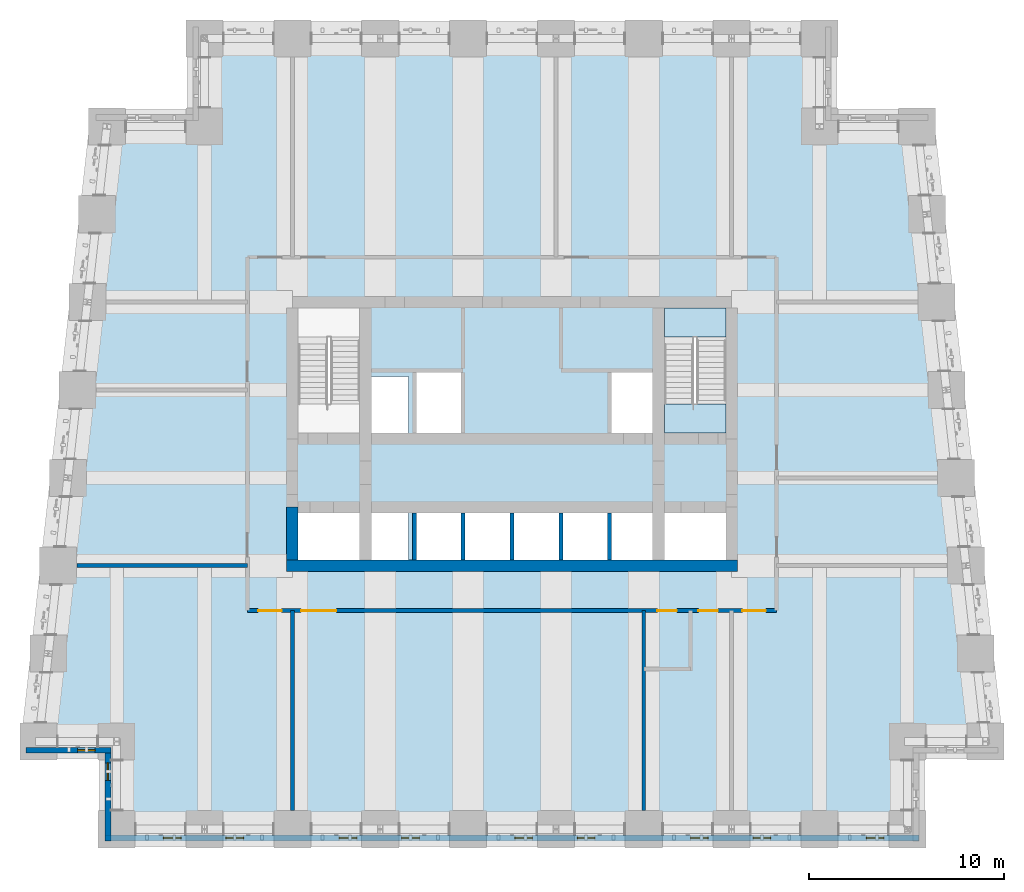
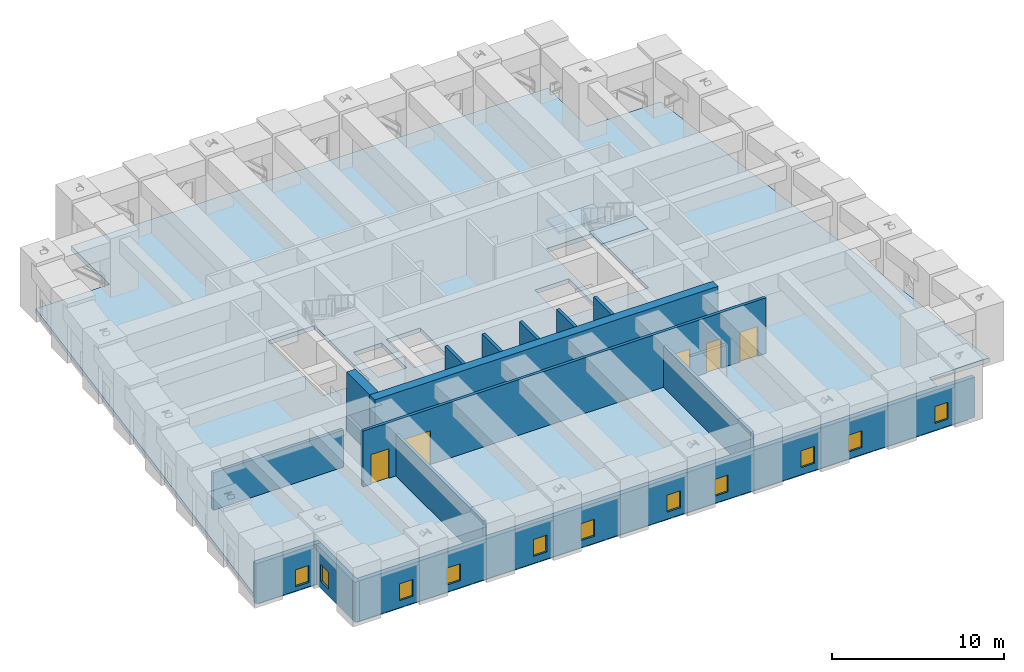
# One storey, part 2 of 16: 14 walls, 11 windows, 5 doors, 3 slabs, 16 openings, 1 element without a shape of its own.
"""IFC4 building model written with IfcOpenShell, lengths in metres."""

from ifc_helpers import new_model, si_unit, direction, frame, frame_2d, origin, place, context, subcontext, project, spatial, polyline, rectangle, outline, extrude, material, layer, layer_set, type_object, element, fill, aggregate, save


model = new_model("IFC4")

# Units and contexts
model_context = context("Model", 3, precision=1e-05, world=origin(), true_north=direction((0.0, 1.0)))
body_context = subcontext(model_context, "Body", "Model", "MODEL_VIEW")
ifc_project = project(units=[si_unit("LENGTHUNIT", "METRE"), si_unit("AREAUNIT", "SQUARE_METRE"), si_unit("VOLUMEUNIT", "CUBIC_METRE"), si_unit("PLANEANGLEUNIT", "RADIAN"), si_unit("MASSUNIT", "GRAM", prefix="KILO")], contexts=[model_context])

# Site, building, storey
site_placement = place(None, origin())
site = spatial("IfcSite", under=ifc_project, at=site_placement, CompositionType="ELEMENT")
building_placement = place(site_placement, origin())
building = spatial("IfcBuilding", under=site, at=building_placement, Name="Kilele Tower Hotel", CompositionType="ELEMENT")
storey_placement = place(building_placement, frame((0.0, 0.0, 85.699951171875)))
storey = spatial("IfcBuildingStorey", under=building, at=storey_placement, Name="L21", CompositionType="ELEMENT", Elevation=85.699951171875)

# Slab
ifc_material_1 = material(Name="Concrete C60/75", Category="concrete")
ifc_layer_1 = layer(ifc_material_1, 0.300048828125)
ifc_layer_set_1 = layer_set([ifc_layer_1], Name="Concrete C60/75")
slab_type_1 = type_object("IfcSlabType", Name="Floor slab 300", PredefinedType="FLOOR", material=ifc_layer_set_1)
slab_1_placement = place(storey_placement, frame((0.0, 0.0, -0.300048828125)))
element("IfcSlab", 1, at=slab_1_placement, inside=storey, type_object=slab_type_1, Name="Floor slab L21", PredefinedType="FLOOR", context=body_context, shape_type="SweptSolid", body=[
    extrude(outline(polyline([(8.699951171875, 36.300048828125), (8.699951171875, 40.800048828125), (40.800048828125, 40.800048828125), (40.800048828125, 36.300048828125), (45.7685546875, 36.300048828125), (49.335205078125, 4.199951171875), (45.300048828125, 4.199951171875), (45.300048828125, -0.300048828125), (4.199951171875, -0.300048828125), (4.199951171875, 4.199951171875), (0.164794921875, 4.199951171875), (3.7314453125, 36.300048828125), (8.699951171875, 36.300048828125)]), holes=[polyline([(16.949951171875, 16.199951171875), (13.800048828125, 16.199951171875), (13.800048828125, 13.800048828125), (16.949951171875, 13.800048828125), (16.949951171875, 16.199951171875)]), polyline([(19.449951171875, 13.800048828125), (19.449951171875, 16.199951171875), (17.550048828125, 16.199951171875), (17.550048828125, 13.800048828125), (19.449951171875, 13.800048828125)]), polyline([(22.14990234375, 13.800048828125), (22.14990234375, 16.39990234375), (19.85009765625, 16.39990234375), (19.85009765625, 13.800048828125), (22.14990234375, 13.800048828125)]), polyline([(24.64990234375, 16.39990234375), (22.35009765625, 16.39990234375), (22.35009765625, 13.800048828125), (24.64990234375, 13.800048828125), (24.64990234375, 16.39990234375)]), polyline([(19.449951171875, 20.300048828125), (19.449951171875, 23.199951171875), (17.550048828125, 23.199951171875), (17.550048828125, 20.300048828125), (19.449951171875, 20.300048828125)]), polyline([(22.14990234375, 20.10009765625), (22.14990234375, 23.39990234375), (19.85009765625, 23.39990234375), (19.85009765625, 20.10009765625), (22.14990234375, 20.10009765625)]), polyline([(16.949951171875, 26.699951171875), (13.800048828125, 26.699951171875), (13.800048828125, 20.300048828125), (16.949951171875, 20.300048828125), (16.949951171875, 26.699951171875)]), polyline([(35.699951171875, 13.800048828125), (35.699951171875, 16.199951171875), (32.550048828125, 16.199951171875), (32.550048828125, 13.800048828125), (35.699951171875, 13.800048828125)]), polyline([(27.14990234375, 13.800048828125), (27.14990234375, 16.39990234375), (24.85009765625, 16.39990234375), (24.85009765625, 13.800048828125), (27.14990234375, 13.800048828125)]), polyline([(29.64990234375, 13.800048828125), (29.64990234375, 16.39990234375), (27.35009765625, 16.39990234375), (27.35009765625, 13.800048828125), (29.64990234375, 13.800048828125)]), polyline([(32.14990234375, 13.800048828125), (32.14990234375, 16.39990234375), (29.85009765625, 16.39990234375), (29.85009765625, 13.800048828125), (32.14990234375, 13.800048828125)]), polyline([(32.14990234375, 20.10009765625), (32.14990234375, 23.39990234375), (29.85009765625, 23.39990234375), (29.85009765625, 20.10009765625), (32.14990234375, 20.10009765625)]), polyline([(35.699951171875, 20.300048828125), (35.699951171875, 26.699951171875), (32.550048828125, 26.699951171875), (32.550048828125, 20.300048828125), (35.699951171875, 20.300048828125)])]), origin(), (0.0, 0.0, 1.0), 0.300048828125),
])

# Stair, slabs
ifc_material_2 = material(Name="Precast concrete C40/50", Category="concrete")
stair_type = type_object("IfcStairType", Name="Stair 1475 x 4200", PredefinedType="HALF_TURN_STAIR", material=ifc_material_2)
stair_placement = place(storey_placement, origin())
stair = element("IfcStair", 2, at=stair_placement, inside=storey, type_object=stair_type, Name="Stair 2 L21", PredefinedType="HALF_TURN_STAIR")
ifc_material_3 = material(Name="Precast concrete C40/50", Category="concrete")
ifc_layer_2 = layer(ifc_material_3, 0.199951171875)
ifc_layer_set_2 = layer_set([ifc_layer_2], Name="Precast concrete C40/50")
slab_type_2 = type_object("IfcSlabType", Name="Stair landing 200", PredefinedType="LANDING", material=ifc_layer_set_2)
slab_2_placement = place(storey_placement, frame((0.0, 0.0, 1.900146484375)))
slab_2 = element("IfcSlab", 3, at=slab_2_placement, type_object=slab_type_2, Name="ST2 landing 1", PredefinedType="LANDING", context=body_context, shape_type="SweptSolid", body=[
    extrude(outline(polyline([(32.550048828125, 25.22509765625), (35.699951171875, 25.22509765625), (35.699951171875, 26.699951171875), (32.550048828125, 26.699951171875), (32.550048828125, 25.22509765625)])), origin(), (0.0, 0.0, 1.0), 0.199951171875),
])
slab_3_placement = place(storey_placement, frame((0.0, 0.0, 4.0)))
slab_3 = element("IfcSlab", 4, at=slab_3_placement, type_object=slab_type_2, Name="ST2 landing 2", PredefinedType="LANDING", context=body_context, shape_type="SweptSolid", body=[
    extrude(outline(polyline([(32.550048828125, 20.300048828125), (35.699951171875, 20.300048828125), (35.699951171875, 21.77490234375), (32.550048828125, 21.77490234375), (32.550048828125, 20.300048828125)])), origin(), (0.0, 0.0, 1.0), 0.199951171875),
])
aggregate(stair, [slab_2, slab_3])

# Walls
ifc_material_4 = material(Name="Concrete C60/75", Category="concrete")
ifc_layer_3 = layer(ifc_material_4, 0.60009765625)
ifc_layer_set_3 = layer_set([ifc_layer_3], Name="Concrete C60/75")
wall_type_1 = type_object("IfcWallType", Name="Core wall 600 C60/75", PredefinedType="SHEAR", material=ifc_layer_set_3)
wall_1_placement = place(storey_placement, frame((13.199951171875, 13.5, 0.0), z_axis=(0.0, 0.0, 1.0), x_axis=(1.0, 0.0, 0.0)))
element("IfcWall", 5, at=wall_1_placement, inside=storey, type_object=wall_type_1, Name="Core wall S L21", PredefinedType="SHEAR", context=body_context, shape_type="SweptSolid", body=[
    extrude(rectangle(XDim=23.10009765625, YDim=0.60009765625, at=frame_2d((11.550048828125, 0.0))), origin(), (0.0, 0.0, 1.0), 4.199951171875),
])
wall_2_placement = place(storey_placement, frame((13.5, 16.5, 0.0), z_axis=(0.0, 0.0, 1.0), x_axis=(0.0, -1.0, 0.0)))
element("IfcWall", 6, at=wall_2_placement, inside=storey, type_object=wall_type_1, Name="Core wall W3 L21", PredefinedType="SHEAR", context=body_context, shape_type="SweptSolid", body=[
    extrude(rectangle(XDim=2.699951171875, YDim=0.60009765625, at=frame_2d((1.35009765625, 0.0))), origin(), (0.0, 0.0, 1.0), 4.199951171875),
])

# Wall, openings, doors
ifc_material_5 = material(Name="Blockwork, plastered both sides", Category="masonry")
ifc_layer_4 = layer(ifc_material_5, 0.199951171875)
ifc_layer_set_4 = layer_set([ifc_layer_4], Name="Blockwork, plastered both sides")
wall_type_2 = type_object("IfcWallType", Name="Corridor wall 200", PredefinedType="PARTITIONING", material=ifc_layer_set_4)
wall_3_placement = place(storey_placement, frame((11.199951171875, 11.199951171875, 0.0), z_axis=(0.0, 0.0, 1.0), x_axis=(1.0, 0.0, 0.0)))
wall_3 = element("IfcWall", 7, at=wall_3_placement, inside=storey, type_object=wall_type_2, Name="Corridor wall 200 L21", PredefinedType="PARTITIONING", context=body_context, shape_type="SweptSolid", body=[
    extrude(rectangle(XDim=27.10009765625, YDim=0.199951171875, at=frame_2d((13.550048828125, 0.0))), origin(), (0.0, 0.0, 1.0), 3.949951171875),
])
opening_1_placement = place(wall_3_placement, frame((4.550048828125, 0.0, 0.0), z_axis=(0.0, 0.0, 1.0), x_axis=(-1.0, 0.0, 0.0)))
opening_1 = element("IfcOpeningElement", 8, at=opening_1_placement, cuts=wall_3, Name="Opening D9", PredefinedType="OPENING", context=body_context, shape_type="SweptSolid", body=[
    extrude(rectangle(XDim=1.800048828125, YDim=2.39990234375, at=frame_2d((0.89990234375, 1.199951171875))), frame((0.0, 0.10986328125, 0.0), z_axis=(0.0, -1.0, 0.0), x_axis=(1.0, 0.0, 0.0)), (0.0, 0.0, 1.0), 0.219970703125),
])
opening_2_placement = place(wall_3_placement, frame((22.0, 0.0, 0.0), z_axis=(0.0, 0.0, 1.0), x_axis=(-1.0, 0.0, 0.0)))
opening_2 = element("IfcOpeningElement", 9, at=opening_2_placement, cuts=wall_3, Name="Opening D8", PredefinedType="OPENING", context=body_context, shape_type="SweptSolid", body=[
    extrude(rectangle(XDim=1.0, YDim=2.10009765625, at=frame_2d((0.5, 1.050048828125))), frame((0.0, 0.10986328125, 0.0), z_axis=(0.0, -1.0, 0.0), x_axis=(1.0, 0.0, 0.0)), (0.0, 0.0, 1.0), 0.219970703125),
])
opening_3_placement = place(wall_3_placement, frame((24.10009765625, 0.0, 0.0), z_axis=(0.0, 0.0, 1.0), x_axis=(-1.0, 0.0, 0.0)))
opening_3 = element("IfcOpeningElement", 10, at=opening_3_placement, cuts=wall_3, Name="Opening D8", PredefinedType="OPENING", context=body_context, shape_type="SweptSolid", body=[
    extrude(rectangle(XDim=1.0, YDim=2.10009765625, at=frame_2d((0.5, 1.050048828125))), frame((0.0, 0.10986328125, 0.0), z_axis=(0.0, -1.0, 0.0), x_axis=(1.0, 0.0, 0.0)), (0.0, 0.0, 1.0), 0.219970703125),
])
opening_4_placement = place(wall_3_placement, frame((1.75, 0.0, 0.0), z_axis=(0.0, 0.0, 1.0), x_axis=(-1.0, 0.0, 0.0)))
opening_4 = element("IfcOpeningElement", 11, at=opening_4_placement, cuts=wall_3, Name="Opening D7A", PredefinedType="OPENING", context=body_context, shape_type="SweptSolid", body=[
    extrude(rectangle(XDim=1.199951171875, YDim=2.10009765625, at=frame_2d((0.60009765625, 1.050048828125))), frame((0.0, 0.10986328125, 0.0), z_axis=(0.0, -1.0, 0.0), x_axis=(1.0, 0.0, 0.0)), (0.0, 0.0, 1.0), 0.219970703125),
])
opening_5_placement = place(wall_3_placement, frame((26.550048828125, 0.0, 0.0), z_axis=(0.0, 0.0, 1.0), x_axis=(-1.0, 0.0, 0.0)))
opening_5 = element("IfcOpeningElement", 12, at=opening_5_placement, cuts=wall_3, Name="Opening D7A", PredefinedType="OPENING", context=body_context, shape_type="SweptSolid", body=[
    extrude(rectangle(XDim=1.199951171875, YDim=2.10009765625, at=frame_2d((0.60009765625, 1.050048828125))), frame((0.0, 0.10986328125, 0.0), z_axis=(0.0, -1.0, 0.0), x_axis=(1.0, 0.0, 0.0)), (0.0, 0.0, 1.0), 0.219970703125),
])
ifc_material_6 = material(Name="Timber door leaf in hardwood frame", Category="wood")
door_type_1 = type_object("IfcDoorType", Name="Door 1000", OperationType="SINGLE_SWING_LEFT", PredefinedType="DOOR", material=ifc_material_6)
door_1_placement = place(opening_2_placement, origin())
door_1 = element("IfcDoor", 13, at=door_1_placement, inside=storey, type_object=door_type_1, Name="Door Accessible WC 2102", OperationType="SINGLE_SWING_LEFT", OverallHeight=2.10009765625, OverallWidth=1.0, PredefinedType="DOOR", context=body_context, shape_type="SweptSolid", body=[
    extrude(rectangle(XDim=1.0, YDim=2.10009765625, at=frame_2d((0.5, 1.050048828125))), frame((0.0, 0.02490234375, 0.0), z_axis=(0.0, -1.0, 0.0), x_axis=(1.0, 0.0, 0.0)), (0.0, 0.0, 1.0), 0.050048828125),
])
fill(opening_2, door_1)
door_2_placement = place(opening_3_placement, origin())
door_2 = element("IfcDoor", 14, at=door_2_placement, inside=storey, type_object=door_type_1, Name="Door Refuge store 2103", OperationType="SINGLE_SWING_RIGHT", OverallHeight=2.10009765625, OverallWidth=1.0, PredefinedType="DOOR", context=body_context, shape_type="SweptSolid", body=[
    extrude(rectangle(XDim=1.0, YDim=2.10009765625, at=frame_2d((0.5, 1.050048828125))), frame((0.0, 0.02490234375, 0.0), z_axis=(0.0, -1.0, 0.0), x_axis=(1.0, 0.0, 0.0)), (0.0, 0.0, 1.0), 0.050048828125),
])
fill(opening_3, door_2)
ifc_material_7 = material(Name="Timber door leaf in hardwood frame", Category="wood")
door_type_2 = type_object("IfcDoorType", Name="Double door 1800", OperationType="DOUBLE_DOOR_SINGLE_SWING", PredefinedType="DOOR", material=ifc_material_7)
door_3_placement = place(opening_1_placement, origin())
door_3 = element("IfcDoor", 15, at=door_3_placement, inside=storey, type_object=door_type_2, Name="Door Refuge area 2101", OperationType="DOUBLE_DOOR_SINGLE_SWING", OverallHeight=2.39990234375, OverallWidth=1.800048828125, PredefinedType="DOOR", context=body_context, shape_type="SweptSolid", body=[
    extrude(rectangle(XDim=1.800048828125, YDim=2.39990234375, at=frame_2d((0.89990234375, 1.199951171875))), frame((0.0, 0.02490234375, 0.0), z_axis=(0.0, -1.0, 0.0), x_axis=(1.0, 0.0, 0.0)), (0.0, 0.0, 1.0), 0.050048828125),
])
fill(opening_1, door_3)
ifc_material_8 = material(Name="Timber door leaf in hardwood frame", Category="wood")
door_type_3 = type_object("IfcDoorType", Name="Plant room door 1200", OperationType="SINGLE_SWING_LEFT", PredefinedType="DOOR", material=ifc_material_8)
door_4_placement = place(opening_4_placement, origin())
door_4 = element("IfcDoor", 16, at=door_4_placement, inside=storey, type_object=door_type_3, Name="Door Low-zone smoke extract fan room 2110", OperationType="SINGLE_SWING_LEFT", OverallHeight=2.10009765625, OverallWidth=1.199951171875, PredefinedType="DOOR", context=body_context, shape_type="SweptSolid", body=[
    extrude(rectangle(XDim=1.199951171875, YDim=2.10009765625, at=frame_2d((0.60009765625, 1.050048828125))), frame((0.0, 0.02490234375, 0.0), z_axis=(0.0, -1.0, 0.0), x_axis=(1.0, 0.0, 0.0)), (0.0, 0.0, 1.0), 0.050048828125),
])
fill(opening_4, door_4)
door_5_placement = place(opening_5_placement, origin())
door_5 = element("IfcDoor", 17, at=door_5_placement, inside=storey, type_object=door_type_3, Name="Door Sprinkler zone valve room 2111", OperationType="SINGLE_SWING_RIGHT", OverallHeight=2.10009765625, OverallWidth=1.199951171875, PredefinedType="DOOR", context=body_context, shape_type="SweptSolid", body=[
    extrude(rectangle(XDim=1.199951171875, YDim=2.10009765625, at=frame_2d((0.60009765625, 1.050048828125))), frame((0.0, 0.02490234375, 0.0), z_axis=(0.0, -1.0, 0.0), x_axis=(1.0, 0.0, 0.0)), (0.0, 0.0, 1.0), 0.050048828125),
])
fill(opening_5, door_5)

# Walls
ifc_material_9 = material(Name="Blockwork, plastered both sides", Category="masonry")
ifc_layer_5 = layer(ifc_material_9, 0.199951171875)
ifc_layer_set_5 = layer_set([ifc_layer_5], Name="Blockwork, plastered both sides")
wall_type_3 = type_object("IfcWallType", Name="Partition wall 200", PredefinedType="PARTITIONING", material=ifc_layer_set_5)
for number, where, z_axis, x_axis, name in (
    (18, (13.5, 11.199951171875, 0.0), (0.0, 0.0, 1.0), (0.0, -1.0, 0.0), "Partition wall 200 L21"),
    (19, (31.5, 11.199951171875, 0.0), (0.0, 0.0, 1.0), (0.0, -1.0, 0.0), "Partition wall 200 L21"),
):
    element("IfcWall", number, at=place(storey_placement, frame(where, z_axis=z_axis, x_axis=x_axis)), inside=storey, type_object=wall_type_3, Name=name, PredefinedType="PARTITIONING", context=body_context, shape_type="SweptSolid", body=[
        extrude(rectangle(XDim=10.25, YDim=0.199951171875, at=frame_2d((5.125, 0.0))), origin(), (0.0, 0.0, 1.0), 2.949951171875),
    ])
wall_4_placement = place(storey_placement, frame((11.199951171875, 13.5, 0.0), z_axis=(0.0, 0.0, 1.0), x_axis=(-1.0, 0.0, 0.0)))
element("IfcWall", 20, at=wall_4_placement, inside=storey, type_object=wall_type_3, Name="Partition wall 200 L21", PredefinedType="PARTITIONING", context=body_context, shape_type="SweptSolid", body=[
    extrude(rectangle(XDim=8.739013671875, YDim=0.199951171875, at=frame_2d((4.36962890625, 0.0))), origin(), (0.0, 0.0, 1.0), 2.650146484375),
])

# Wall, opening, window
ifc_material_10 = material(Name="Concrete C40/50 precast", Category="concrete")
ifc_layer_6 = layer(ifc_material_10, 0.260009765625, Name="Precast backing", Category="LoadBearing")
ifc_material_11 = material(Name="Reconstituted stone finish", Category="masonry")
ifc_layer_7 = layer(ifc_material_11, 0.0400390625, Name="Face mix", Category="Finish")
ifc_layer_set_6 = layer_set([ifc_layer_6, ifc_layer_7], Name="Precast concrete C40/50, reconstituted stone finish")
wall_type_4 = type_object("IfcWallType", Name="Precast stone facade wall 300", PredefinedType="STANDARD", material=ifc_layer_set_6)
wall_5_placement = place(storey_placement, frame((-0.15283203125, 4.050048828125, 0.0), z_axis=(0.0, 0.0, 1.0), x_axis=(1.0, 0.0, 0.0)))
wall_5 = element("IfcWall", 21, at=wall_5_placement, inside=storey, type_object=wall_type_4, Name="Facade wall L21 edge 1", PredefinedType="STANDARD", context=body_context, shape_type="SweptSolid", body=[
    extrude(rectangle(XDim=4.352783203125, YDim=0.300048828125, at=frame_2d((2.17626953125, 0.0))), origin(), (0.0, 0.0, 1.0), 2.85009765625),
])
opening_6_placement = place(wall_5_placement, frame((2.65283203125, 0.0, 0.300048828125)))
opening_6 = element("IfcOpeningElement", 22, at=opening_6_placement, cuts=wall_5, Name="Opening LV1", PredefinedType="OPENING", context=body_context, shape_type="SweptSolid", body=[
    extrude(rectangle(XDim=0.89990234375, YDim=1.199951171875, at=frame_2d((0.449951171875, 0.60009765625))), frame((0.0, 0.159912109375, 0.0), z_axis=(0.0, -1.0, 0.0), x_axis=(1.0, 0.0, 0.0)), (0.0, 0.0, 1.0), 0.320068359375),
])
ifc_material_12 = material(Name="Aluminium weather louvre with insect mesh", Category="aluminium")
window_type = type_object("IfcWindowType", Name="Ventilation louvre 900 x 1200", PartitioningType="SINGLE_PANEL", PredefinedType="USERDEFINED", material=ifc_material_12)
window_1_placement = place(opening_6_placement, origin())
window_1 = element("IfcWindow", 23, at=window_1_placement, inside=storey, type_object=window_type, Name="Louvre L21", ObjectType="LOUVRE", OverallHeight=1.199951171875, OverallWidth=0.89990234375, PartitioningType="SINGLE_PANEL", PredefinedType="USERDEFINED", context=body_context, shape_type="SweptSolid", body=[
    extrude(rectangle(XDim=0.89990234375, YDim=1.199951171875, at=frame_2d((0.449951171875, 0.60009765625))), frame((0.0, 0.030029296875, 0.0), z_axis=(0.0, -1.0, 0.0), x_axis=(1.0, 0.0, 0.0)), (0.0, 0.0, 1.0), 0.06005859375),
])
fill(opening_6, window_1)

wall_6_placement = place(storey_placement, frame((4.050048828125, 4.199951171875, 0.0), z_axis=(0.0, 0.0, 1.0), x_axis=(0.0, -1.0, 0.0)))
wall_6 = element("IfcWall", 24, at=wall_6_placement, inside=storey, type_object=wall_type_4, Name="Facade wall L21 edge 2", PredefinedType="STANDARD", context=body_context, shape_type="SweptSolid", body=[
    extrude(rectangle(XDim=4.800048828125, YDim=0.300048828125, at=frame_2d((2.39990234375, 0.0))), origin(), (0.0, 0.0, 1.0), 2.85009765625),
])
opening_7_placement = place(wall_6_placement, frame((0.800048828125, 0.0, 0.5)))
opening_7 = element("IfcOpeningElement", 25, at=opening_7_placement, cuts=wall_6, Name="Opening LV1", PredefinedType="OPENING", context=body_context, shape_type="SweptSolid", body=[
    extrude(rectangle(XDim=0.89990234375, YDim=1.199951171875, at=frame_2d((0.449951171875, 0.60009765625))), frame((0.0, 0.159912109375, 0.0), z_axis=(0.0, -1.0, 0.0), x_axis=(1.0, 0.0, 0.0)), (0.0, 0.0, 1.0), 0.320068359375),
])
window_2_placement = place(opening_7_placement, origin())
window_2 = element("IfcWindow", 26, at=window_2_placement, inside=storey, type_object=window_type, Name="Louvre L21", ObjectType="LOUVRE", OverallHeight=1.199951171875, OverallWidth=0.89990234375, PartitioningType="SINGLE_PANEL", PredefinedType="USERDEFINED", context=body_context, shape_type="SweptSolid", body=[
    extrude(rectangle(XDim=0.89990234375, YDim=1.199951171875, at=frame_2d((0.449951171875, 0.60009765625))), frame((0.0, 0.030029296875, 0.0), z_axis=(0.0, -1.0, 0.0), x_axis=(1.0, 0.0, 0.0)), (0.0, 0.0, 1.0), 0.06005859375),
])
fill(opening_7, window_2)

# Wall, openings, windows
wall_7_placement = place(storey_placement, frame((3.89990234375, -0.449951171875, 0.0), z_axis=(0.0, 0.0, 1.0), x_axis=(1.0, 0.0, 0.0)))
wall_7 = element("IfcWall", 27, at=wall_7_placement, inside=storey, type_object=wall_type_4, Name="Facade wall L21 edge 3", PredefinedType="STANDARD", context=body_context, shape_type="SweptSolid", body=[
    extrude(rectangle(XDim=41.7001953125, YDim=0.300048828125, at=frame_2d((20.85009765625, 0.0))), origin(), (0.0, 0.0, 1.0), 2.85009765625),
])
opening_8_placement = place(wall_7_placement, frame((3.0, 0.0, 0.5)))
opening_8 = element("IfcOpeningElement", 28, at=opening_8_placement, cuts=wall_7, Name="Opening LV1", PredefinedType="OPENING", context=body_context, shape_type="SweptSolid", body=[
    extrude(rectangle(XDim=0.89990234375, YDim=1.199951171875, at=frame_2d((0.449951171875, 0.60009765625))), frame((0.0, 0.159912109375, 0.0), z_axis=(0.0, -1.0, 0.0), x_axis=(1.0, 0.0, 0.0)), (0.0, 0.0, 1.0), 0.320068359375),
])
opening_9_placement = place(wall_7_placement, frame((6.199951171875, 0.0, 0.5)))
opening_9 = element("IfcOpeningElement", 29, at=opening_9_placement, cuts=wall_7, Name="Opening LV1", PredefinedType="OPENING", context=body_context, shape_type="SweptSolid", body=[
    extrude(rectangle(XDim=0.89990234375, YDim=1.199951171875, at=frame_2d((0.449951171875, 0.60009765625))), frame((0.0, 0.159912109375, 0.0), z_axis=(0.0, -1.0, 0.0), x_axis=(1.0, 0.0, 0.0)), (0.0, 0.0, 1.0), 0.320068359375),
])
opening_10_placement = place(wall_7_placement, frame((12.0, 0.0, 0.5)))
opening_10 = element("IfcOpeningElement", 30, at=opening_10_placement, cuts=wall_7, Name="Opening LV1", PredefinedType="OPENING", context=body_context, shape_type="SweptSolid", body=[
    extrude(rectangle(XDim=0.89990234375, YDim=1.199951171875, at=frame_2d((0.449951171875, 0.60009765625))), frame((0.0, 0.159912109375, 0.0), z_axis=(0.0, -1.0, 0.0), x_axis=(1.0, 0.0, 0.0)), (0.0, 0.0, 1.0), 0.320068359375),
])
opening_11_placement = place(wall_7_placement, frame((15.199951171875, 0.0, 0.5)))
opening_11 = element("IfcOpeningElement", 31, at=opening_11_placement, cuts=wall_7, Name="Opening LV1", PredefinedType="OPENING", context=body_context, shape_type="SweptSolid", body=[
    extrude(rectangle(XDim=0.89990234375, YDim=1.199951171875, at=frame_2d((0.449951171875, 0.60009765625))), frame((0.0, 0.159912109375, 0.0), z_axis=(0.0, -1.0, 0.0), x_axis=(1.0, 0.0, 0.0)), (0.0, 0.0, 1.0), 0.320068359375),
])
opening_12_placement = place(wall_7_placement, frame((21.0, 0.0, 0.5)))
opening_12 = element("IfcOpeningElement", 32, at=opening_12_placement, cuts=wall_7, Name="Opening LV1", PredefinedType="OPENING", context=body_context, shape_type="SweptSolid", body=[
    extrude(rectangle(XDim=0.89990234375, YDim=1.199951171875, at=frame_2d((0.449951171875, 0.60009765625))), frame((0.0, 0.159912109375, 0.0), z_axis=(0.0, -1.0, 0.0), x_axis=(1.0, 0.0, 0.0)), (0.0, 0.0, 1.0), 0.320068359375),
])
opening_13_placement = place(wall_7_placement, frame((24.199951171875, 0.0, 0.5)))
opening_13 = element("IfcOpeningElement", 33, at=opening_13_placement, cuts=wall_7, Name="Opening LV1", PredefinedType="OPENING", context=body_context, shape_type="SweptSolid", body=[
    extrude(rectangle(XDim=0.89990234375, YDim=1.199951171875, at=frame_2d((0.449951171875, 0.60009765625))), frame((0.0, 0.159912109375, 0.0), z_axis=(0.0, -1.0, 0.0), x_axis=(1.0, 0.0, 0.0)), (0.0, 0.0, 1.0), 0.320068359375),
])
opening_14_placement = place(wall_7_placement, frame((30.0, 0.0, 0.5)))
opening_14 = element("IfcOpeningElement", 34, at=opening_14_placement, cuts=wall_7, Name="Opening LV1", PredefinedType="OPENING", context=body_context, shape_type="SweptSolid", body=[
    extrude(rectangle(XDim=0.89990234375, YDim=1.199951171875, at=frame_2d((0.449951171875, 0.60009765625))), frame((0.0, 0.159912109375, 0.0), z_axis=(0.0, -1.0, 0.0), x_axis=(1.0, 0.0, 0.0)), (0.0, 0.0, 1.0), 0.320068359375),
])
opening_15_placement = place(wall_7_placement, frame((33.199951171875, 0.0, 0.5)))
opening_15 = element("IfcOpeningElement", 35, at=opening_15_placement, cuts=wall_7, Name="Opening LV1", PredefinedType="OPENING", context=body_context, shape_type="SweptSolid", body=[
    extrude(rectangle(XDim=0.89990234375, YDim=1.199951171875, at=frame_2d((0.449951171875, 0.60009765625))), frame((0.0, 0.159912109375, 0.0), z_axis=(0.0, -1.0, 0.0), x_axis=(1.0, 0.0, 0.0)), (0.0, 0.0, 1.0), 0.320068359375),
])
opening_16_placement = place(wall_7_placement, frame((39.0, 0.0, 0.5)))
opening_16 = element("IfcOpeningElement", 36, at=opening_16_placement, cuts=wall_7, Name="Opening LV1", PredefinedType="OPENING", context=body_context, shape_type="SweptSolid", body=[
    extrude(rectangle(XDim=0.89990234375, YDim=1.199951171875, at=frame_2d((0.449951171875, 0.60009765625))), frame((0.0, 0.159912109375, 0.0), z_axis=(0.0, -1.0, 0.0), x_axis=(1.0, 0.0, 0.0)), (0.0, 0.0, 1.0), 0.320068359375),
])
window_3_placement = place(opening_8_placement, origin())
window_3 = element("IfcWindow", 37, at=window_3_placement, inside=storey, type_object=window_type, Name="Louvre L21", ObjectType="LOUVRE", OverallHeight=1.199951171875, OverallWidth=0.89990234375, PartitioningType="SINGLE_PANEL", PredefinedType="USERDEFINED", context=body_context, shape_type="SweptSolid", body=[
    extrude(rectangle(XDim=0.89990234375, YDim=1.199951171875, at=frame_2d((0.449951171875, 0.60009765625))), frame((0.0, 0.030029296875, 0.0), z_axis=(0.0, -1.0, 0.0), x_axis=(1.0, 0.0, 0.0)), (0.0, 0.0, 1.0), 0.06005859375),
])
fill(opening_8, window_3)
window_4_placement = place(opening_9_placement, origin())
window_4 = element("IfcWindow", 38, at=window_4_placement, inside=storey, type_object=window_type, Name="Louvre L21", ObjectType="LOUVRE", OverallHeight=1.199951171875, OverallWidth=0.89990234375, PartitioningType="SINGLE_PANEL", PredefinedType="USERDEFINED", context=body_context, shape_type="SweptSolid", body=[
    extrude(rectangle(XDim=0.89990234375, YDim=1.199951171875, at=frame_2d((0.449951171875, 0.60009765625))), frame((0.0, 0.030029296875, 0.0), z_axis=(0.0, -1.0, 0.0), x_axis=(1.0, 0.0, 0.0)), (0.0, 0.0, 1.0), 0.06005859375),
])
fill(opening_9, window_4)
window_5_placement = place(opening_10_placement, origin())
window_5 = element("IfcWindow", 39, at=window_5_placement, inside=storey, type_object=window_type, Name="Louvre L21", ObjectType="LOUVRE", OverallHeight=1.199951171875, OverallWidth=0.89990234375, PartitioningType="SINGLE_PANEL", PredefinedType="USERDEFINED", context=body_context, shape_type="SweptSolid", body=[
    extrude(rectangle(XDim=0.89990234375, YDim=1.199951171875, at=frame_2d((0.449951171875, 0.60009765625))), frame((0.0, 0.030029296875, 0.0), z_axis=(0.0, -1.0, 0.0), x_axis=(1.0, 0.0, 0.0)), (0.0, 0.0, 1.0), 0.06005859375),
])
fill(opening_10, window_5)
window_6_placement = place(opening_11_placement, origin())
window_6 = element("IfcWindow", 40, at=window_6_placement, inside=storey, type_object=window_type, Name="Louvre L21", ObjectType="LOUVRE", OverallHeight=1.199951171875, OverallWidth=0.89990234375, PartitioningType="SINGLE_PANEL", PredefinedType="USERDEFINED", context=body_context, shape_type="SweptSolid", body=[
    extrude(rectangle(XDim=0.89990234375, YDim=1.199951171875, at=frame_2d((0.449951171875, 0.60009765625))), frame((0.0, 0.030029296875, 0.0), z_axis=(0.0, -1.0, 0.0), x_axis=(1.0, 0.0, 0.0)), (0.0, 0.0, 1.0), 0.06005859375),
])
fill(opening_11, window_6)
window_7_placement = place(opening_12_placement, origin())
window_7 = element("IfcWindow", 41, at=window_7_placement, inside=storey, type_object=window_type, Name="Louvre L21", ObjectType="LOUVRE", OverallHeight=1.199951171875, OverallWidth=0.89990234375, PartitioningType="SINGLE_PANEL", PredefinedType="USERDEFINED", context=body_context, shape_type="SweptSolid", body=[
    extrude(rectangle(XDim=0.89990234375, YDim=1.199951171875, at=frame_2d((0.449951171875, 0.60009765625))), frame((0.0, 0.030029296875, 0.0), z_axis=(0.0, -1.0, 0.0), x_axis=(1.0, 0.0, 0.0)), (0.0, 0.0, 1.0), 0.06005859375),
])
fill(opening_12, window_7)
window_8_placement = place(opening_13_placement, origin())
window_8 = element("IfcWindow", 42, at=window_8_placement, inside=storey, type_object=window_type, Name="Louvre L21", ObjectType="LOUVRE", OverallHeight=1.199951171875, OverallWidth=0.89990234375, PartitioningType="SINGLE_PANEL", PredefinedType="USERDEFINED", context=body_context, shape_type="SweptSolid", body=[
    extrude(rectangle(XDim=0.89990234375, YDim=1.199951171875, at=frame_2d((0.449951171875, 0.60009765625))), frame((0.0, 0.030029296875, 0.0), z_axis=(0.0, -1.0, 0.0), x_axis=(1.0, 0.0, 0.0)), (0.0, 0.0, 1.0), 0.06005859375),
])
fill(opening_13, window_8)
window_9_placement = place(opening_14_placement, origin())
window_9 = element("IfcWindow", 43, at=window_9_placement, inside=storey, type_object=window_type, Name="Louvre L21", ObjectType="LOUVRE", OverallHeight=1.199951171875, OverallWidth=0.89990234375, PartitioningType="SINGLE_PANEL", PredefinedType="USERDEFINED", context=body_context, shape_type="SweptSolid", body=[
    extrude(rectangle(XDim=0.89990234375, YDim=1.199951171875, at=frame_2d((0.449951171875, 0.60009765625))), frame((0.0, 0.030029296875, 0.0), z_axis=(0.0, -1.0, 0.0), x_axis=(1.0, 0.0, 0.0)), (0.0, 0.0, 1.0), 0.06005859375),
])
fill(opening_14, window_9)
window_10_placement = place(opening_15_placement, origin())
window_10 = element("IfcWindow", 44, at=window_10_placement, inside=storey, type_object=window_type, Name="Louvre L21", ObjectType="LOUVRE", OverallHeight=1.199951171875, OverallWidth=0.89990234375, PartitioningType="SINGLE_PANEL", PredefinedType="USERDEFINED", context=body_context, shape_type="SweptSolid", body=[
    extrude(rectangle(XDim=0.89990234375, YDim=1.199951171875, at=frame_2d((0.449951171875, 0.60009765625))), frame((0.0, 0.030029296875, 0.0), z_axis=(0.0, -1.0, 0.0), x_axis=(1.0, 0.0, 0.0)), (0.0, 0.0, 1.0), 0.06005859375),
])
fill(opening_15, window_10)
window_11_placement = place(opening_16_placement, origin())
window_11 = element("IfcWindow", 45, at=window_11_placement, inside=storey, type_object=window_type, Name="Louvre L21", ObjectType="LOUVRE", OverallHeight=1.199951171875, OverallWidth=0.89990234375, PartitioningType="SINGLE_PANEL", PredefinedType="USERDEFINED", context=body_context, shape_type="SweptSolid", body=[
    extrude(rectangle(XDim=0.89990234375, YDim=1.199951171875, at=frame_2d((0.449951171875, 0.60009765625))), frame((0.0, 0.030029296875, 0.0), z_axis=(0.0, -1.0, 0.0), x_axis=(1.0, 0.0, 0.0)), (0.0, 0.0, 1.0), 0.06005859375),
])
fill(opening_16, window_11)

# Walls
ifc_material_13 = material(Name="Blockwork, fire-rated", Category="masonry")
ifc_layer_8 = layer(ifc_material_13, 0.199951171875)
ifc_layer_set_7 = layer_set([ifc_layer_8], Name="Blockwork, fire-rated")
wall_type_5 = type_object("IfcWallType", Name="Shaft wall 200", PredefinedType="PARTITIONING", material=ifc_layer_set_7)
for number, where, z_axis, x_axis, name in (
    (46, (19.75, 13.800048828125, 0.0), (0.0, 0.0, 1.0), (0.0, 1.0, 0.0), "Shaft wall 200 L21"),
    (47, (22.25, 13.800048828125, 0.0), (0.0, 0.0, 1.0), (0.0, 1.0, 0.0), "Shaft wall 200 L21"),
    (48, (24.75, 13.800048828125, 0.0), (0.0, 0.0, 1.0), (0.0, 1.0, 0.0), "Shaft wall 200 L21"),
    (49, (27.25, 13.800048828125, 0.0), (0.0, 0.0, 1.0), (0.0, 1.0, 0.0), "Shaft wall 200 L21"),
    (50, (29.75, 13.800048828125, 0.0), (0.0, 0.0, 1.0), (0.0, 1.0, 0.0), "Shaft wall 200 L21"),
):
    element("IfcWall", number, at=place(storey_placement, frame(where, z_axis=z_axis, x_axis=x_axis)), inside=storey, type_object=wall_type_5, Name=name, PredefinedType="PARTITIONING", context=body_context, shape_type="SweptSolid", body=[
        extrude(rectangle(XDim=2.39990234375, YDim=0.199951171875, at=frame_2d((1.199951171875, 0.0))), origin(), (0.0, 0.0, 1.0), 3.949951171875),
    ])

save(model, "model.ifc")
